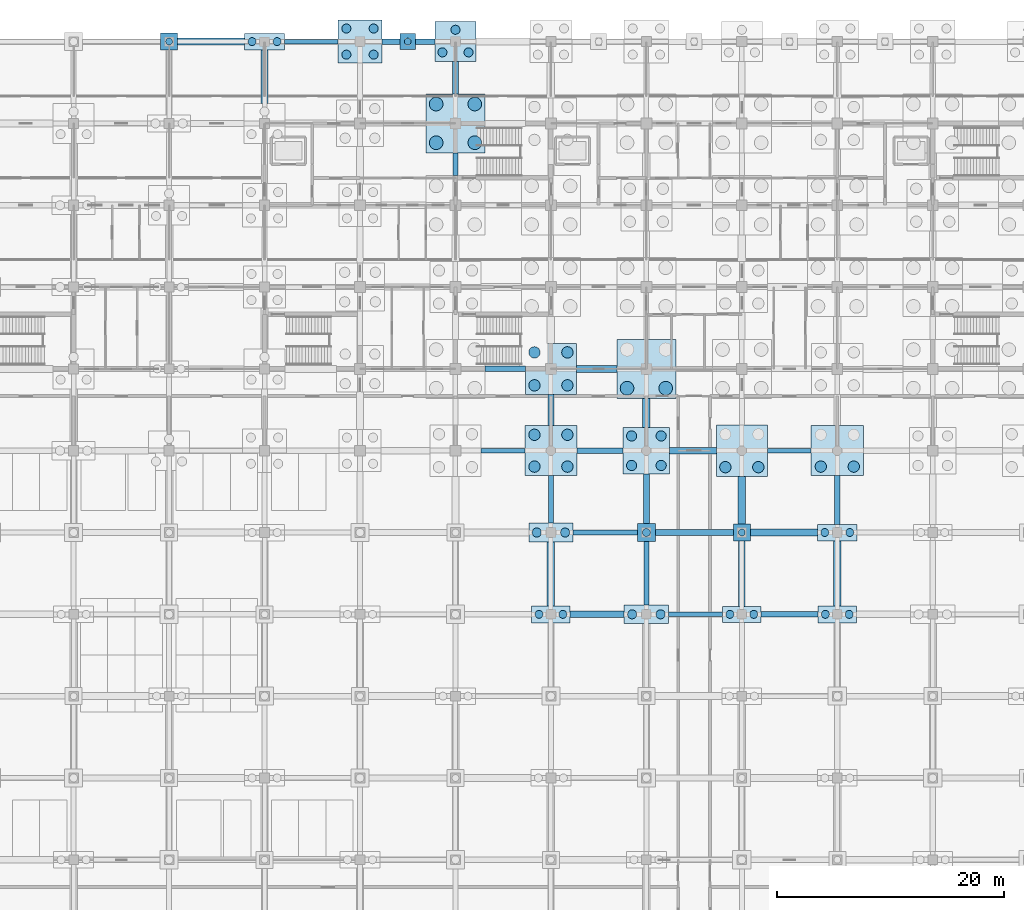
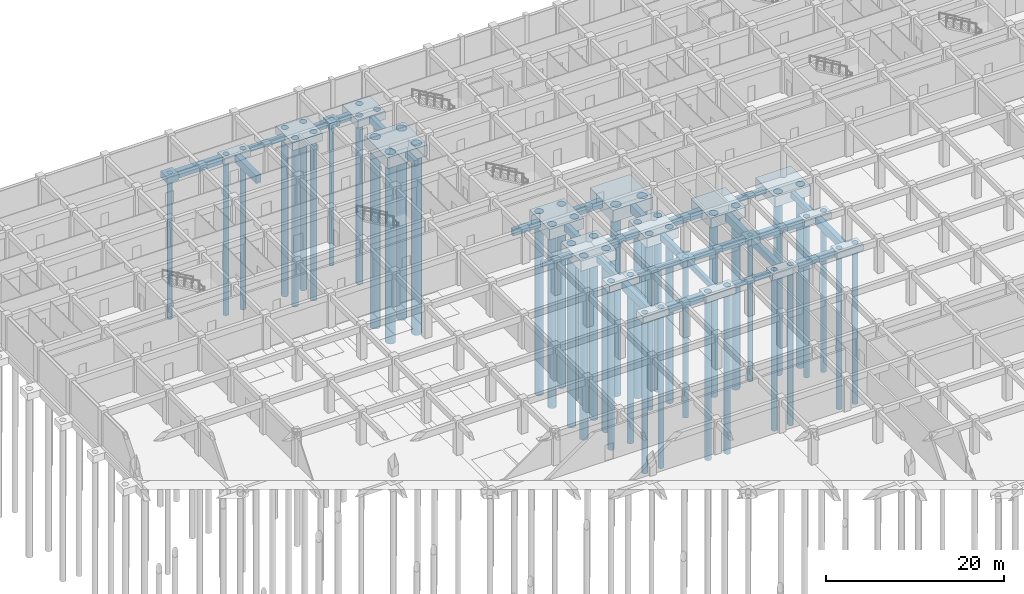
# One storey, part 9 of 85: 49 footings, 47 piles.
"""IFC4 building model written with IfcOpenShell, lengths in metres."""

import ifcopenshell
import ifcopenshell.guid

model = None  # the IFC model being written
_history = None  # IfcOwnerHistory: only IFC2X3 demands one
_inside = {}  # id of a spatial element -> (the spatial element, [elements in it])
_under = {}  # id of a project, library or spatial element -> (it, [spatial elements below it])
_declared = {}  # id of a project -> (the project, [libraries it declares])
_typed = {}  # id of a type object -> (the type object, [elements of that type])
_made_of = {}  # id of a material, layer set ... -> (it, [elements and type objects made of it])


def new_model(schema):
    """Start an empty IFC model of exactly this schema.

    Asked for "IFC4X3", IfcOpenShell would pick the latest addendum, in which some entities
    have other attributes; the version numbers below select the first issue.
    IFC2X3 requires an IfcOwnerHistory on every rooted entity: one is made here for all.
    """
    global model, _history
    if schema == "IFC4X3":
        model = ifcopenshell.file(schema_version=(4, 3, 0, 0))
    else:
        model = ifcopenshell.file(schema=schema)
    _inside.clear()
    _under.clear()
    _declared.clear()
    _typed.clear()
    _made_of.clear()
    _history = None
    if model.schema == "IFC2X3":
        org = make("IfcOrganization", Name="unknown")
        user = make(
            "IfcPersonAndOrganization",
            ThePerson=make("IfcPerson", FamilyName="unknown"),
            TheOrganization=org,
        )
        app = make(
            "IfcApplication",
            ApplicationDeveloper=org,
            Version="unknown",
            ApplicationFullName="unknown",
            ApplicationIdentifier="unknown",
        )
        _history = make(
            "IfcOwnerHistory",
            OwningUser=user,
            OwningApplication=app,
            ChangeAction="ADDED",
            CreationDate=0,
        )
    return model


def make(cls, **values):
    """One entity of the class cls with the attributes given. An attribute that is None is left unset."""
    return model.create_entity(
        cls, **{name: value for name, value in values.items() if value is not None}
    )


def rooted(cls, **values):
    """An entity with a GlobalId (a new one), such as an element, a storey or a relation."""
    return make(cls, GlobalId=ifcopenshell.guid.new(), OwnerHistory=_history, **values)


def si_unit(unit_type, name, prefix=None):
    """IfcSIUnit, for example si_unit("LENGTHUNIT", "METRE", prefix="MILLI")."""
    return make("IfcSIUnit", UnitType=unit_type, Prefix=prefix, Name=name)


def assignment(units):
    """IfcUnitAssignment: the units of a project."""
    return None if units is None else make("IfcUnitAssignment", Units=units)


def point(xyz):
    """IfcCartesianPoint."""
    return None if xyz is None else make("IfcCartesianPoint", Coordinates=xyz)


def direction(xyz):
    """IfcDirection."""
    return None if xyz is None else make("IfcDirection", DirectionRatios=xyz)


def frame(location, z_axis=None, x_axis=None):
    """IfcAxis2Placement3D, a coordinate frame: its origin and axes. An axis left out is left unset."""
    return make(
        "IfcAxis2Placement3D",
        Location=point(location),
        Axis=direction(z_axis),
        RefDirection=direction(x_axis),
    )


def frame_2d(location, x_axis=None):
    """IfcAxis2Placement2D, a coordinate frame in the plane: its origin and x axis."""
    return make(
        "IfcAxis2Placement2D", Location=point(location), RefDirection=direction(x_axis)
    )


def origin():
    """The frame at (0, 0, 0) with its axes left unset."""
    return frame((0.0, 0.0, 0.0))


def origin_2d():
    """The frame at (0, 0) in the plane with its x axis left unset."""
    return frame_2d((0.0, 0.0))


def place(relative_to, where):
    """IfcLocalPlacement: puts the frame where relative to a parent placement (None: the world)."""
    return make(
        "IfcLocalPlacement", PlacementRelTo=relative_to, RelativePlacement=where
    )


def context(
    kind, dimensions, precision=None, world=None, true_north=None, identifier=None
):
    """IfcGeometricRepresentationContext, for example the 3D "Model" context."""
    return make(
        "IfcGeometricRepresentationContext",
        ContextIdentifier=identifier,
        ContextType=kind,
        CoordinateSpaceDimension=dimensions,
        Precision=precision,
        WorldCoordinateSystem=world,
        TrueNorth=true_north,
    )


def subcontext(parent, identifier, kind, view, scale=None):
    """IfcGeometricRepresentationSubContext, for example "Body" below "Model"."""
    return make(
        "IfcGeometricRepresentationSubContext",
        ContextIdentifier=identifier,
        ContextType=kind,
        ParentContext=parent,
        TargetScale=scale,
        TargetView=view,
    )


def project(units=None, contexts=None):
    """IfcProject with its units and contexts."""
    return rooted(
        "IfcProject",
        Name="project",
        RepresentationContexts=contexts,
        UnitsInContext=assignment(units),
    )


def spatial(cls, under=None, at=None, **own):
    """A site, building, storey or space (cls), placed at a placement, below another one or the project."""
    s = rooted(cls, ObjectPlacement=at, **own)
    if under is not None:
        _under.setdefault(under.id(), (under, []))[1].append(s)
    return s


def profile(cls, at=None, kind="AREA", **sizes):
    """A parametric profile (cls). Its sizes go by their IFC names, for example OverallWidth=200.0."""
    return make(cls, ProfileType=kind, Position=at, **sizes)


def rectangle(**sizes):
    """IfcRectangleProfileDef."""
    return profile("IfcRectangleProfileDef", **sizes)


def circle(**sizes):
    """IfcCircleProfileDef."""
    return profile("IfcCircleProfileDef", **sizes)


def extrude(swept, where, along, depth):
    """IfcExtrudedAreaSolid: the profile swept, set in the frame where, extruded along a direction by depth."""
    return make(
        "IfcExtrudedAreaSolid",
        SweptArea=swept,
        Position=where,
        ExtrudedDirection=direction(along),
        Depth=depth,
    )


def shape(context_of_items, identifier, shape_type, items):
    """IfcShapeRepresentation: the items that make up one representation, for example the "Body"."""
    return make(
        "IfcShapeRepresentation",
        ContextOfItems=context_of_items,
        RepresentationIdentifier=identifier,
        RepresentationType=shape_type,
        Items=items,
    )


def material(Name=None, Category=None):
    """IfcMaterial."""
    return make("IfcMaterial", Name=Name, Category=Category)


def material_profile(
    of_material, cross_section, Name=None, Category=None, Priority=None
):
    """IfcMaterialProfile: a cross section and its material."""
    return make(
        "IfcMaterialProfile",
        Name=Name,
        Material=of_material,
        Profile=cross_section,
        Priority=Priority,
        Category=Category,
    )


def profile_set(profiles, Name=None, composite=None):
    """IfcMaterialProfileSet."""
    return make(
        "IfcMaterialProfileSet",
        Name=Name,
        MaterialProfiles=profiles,
        CompositeProfile=composite,
    )


def made_of(thing, what):
    """Note that an element or type object is made of a material, layer set ...; save() writes the relation."""
    if what is not None:
        _made_of.setdefault(what.id(), (what, []))[1].append(thing)
    return thing


def type_object(cls, material=None, **own):
    """A type object (cls), such as IfcWallType, which elements share."""
    return made_of(rooted(cls, **own), material)


def element(
    cls,
    number,
    at=None,
    inside=None,
    cuts=None,
    type_object=None,
    material=None,
    context=None,
    identifier="Body",
    shape_type=None,
    held_by="IfcProductDefinitionShape",
    body=None,
    shapes=None,
    **own,
):
    """One element of the class cls, such as IfcWall. Its Tag is "e" and its number.

    at: its placement. inside: the storey or other place that contains it. cuts: it is an
    opening in that element (IfcRelVoidsElement). A single representation is given by context,
    identifier, shape_type and body (its items); several are given by shapes. held_by: the class
    of the entity that holds the representations. save() writes the other relations.
    """
    e = rooted(cls, Tag="e%d" % number, ObjectPlacement=at, **own)
    if body is not None:
        shapes = [shape(context, identifier, shape_type, body)]
    if shapes is not None:
        e.Representation = make(held_by, Representations=shapes)
    if inside is not None:
        _inside.setdefault(inside.id(), (inside, []))[1].append(e)
    if cuts is not None:
        rooted(
            "IfcRelVoidsElement", RelatingBuildingElement=cuts, RelatedOpeningElement=e
        )
    if type_object is not None:
        _typed.setdefault(type_object.id(), (type_object, []))[1].append(e)
    return made_of(e, material)


def aggregate(whole, parts):
    """IfcRelAggregates: a whole, such as a stair, and the parts it consists of."""
    return rooted("IfcRelAggregates", RelatingObject=whole, RelatedObjects=parts)


def save(model, path):
    """Write the relations noted so far, then the file.

    IfcRelAggregates (storeys below a building ...), IfcRelContainedInSpatialStructure (elements
    in a storey), IfcRelDefinesByType, IfcRelAssociatesMaterial and IfcRelDeclares: one each for
    every whole, place, type object, material and project.
    """
    for whole, parts in _under.values():
        aggregate(whole, parts)
    for where, things in _inside.values():
        rooted(
            "IfcRelContainedInSpatialStructure",
            RelatedElements=things,
            RelatingStructure=where,
        )
    for kind, things in _typed.values():
        rooted("IfcRelDefinesByType", RelatedObjects=things, RelatingType=kind)
    for what, things in _made_of.values():
        rooted("IfcRelAssociatesMaterial", RelatedObjects=things, RelatingMaterial=what)
    for by, libraries in _declared.values():
        rooted("IfcRelDeclares", RelatingContext=by, RelatedDefinitions=libraries)
    model.write(path)


model = new_model("IFC4")

# Units and contexts
model_context = context("Model", 3, precision=1e-05, world=origin(), true_north=direction((0.0, 1.0)))
body_context = subcontext(model_context, "Body", "Model", "MODEL_VIEW")
ifc_project = project(units=[si_unit("LENGTHUNIT", "METRE"), si_unit("AREAUNIT", "SQUARE_METRE"), si_unit("VOLUMEUNIT", "CUBIC_METRE"), si_unit("PLANEANGLEUNIT", "RADIAN"), si_unit("MASSUNIT", "GRAM", prefix="KILO")], contexts=[model_context])

# Site, building, storey
site_placement = place(None, origin())
site = spatial("IfcSite", under=ifc_project, at=site_placement, CompositionType="ELEMENT")
building_placement = place(site_placement, origin())
building = spatial("IfcBuilding", under=site, at=building_placement, Name="Chengyuan Square Courthouse", CompositionType="ELEMENT")
storey_placement = place(building_placement, frame((0.0, 0.0, -10.199951171875)))
storey = spatial("IfcBuildingStorey", under=building, at=storey_placement, Name="B02", CompositionType="ELEMENT", Elevation=-10.199951171875)

# Footings
ifc_material = material(Name="Concrete C40", Category="concrete")
ifc_material_profile_1 = material_profile(ifc_material, rectangle(XDim=0.39990234375, YDim=0.699951171875, at=origin_2d()), Name="GB-400x700")
ifc_profile_set_1 = profile_set([ifc_material_profile_1], Name="Concrete C40")
footing_type_1 = type_object("IfcFootingType", Name="GB-01", PredefinedType="FOOTING_BEAM", material=ifc_profile_set_1)
footing_1_placement = place(storey_placement, frame((77.550048828125, 64.800048828125, -1.150146484375), z_axis=(1.0, 0.0, 0.0), x_axis=(0.0, 1.0, 0.0)))
element("IfcFooting", 1, at=footing_1_placement, inside=storey, type_object=footing_type_1, Name="Ground Tie Beam GB-B02-0190", PredefinedType="FOOTING_BEAM", context=body_context, shape_type="SweptSolid", body=[
    extrude(rectangle(XDim=0.39990234375, YDim=0.699951171875, at=origin_2d()), origin(), (0.0, 0.0, 1.0), 4.75),
])
footing_2_placement = place(storey_placement, frame((69.14990234375, 72.0, -1.150146484375), z_axis=(1.0, 0.0, 0.0), x_axis=(0.0, 1.0, 0.0)))
element("IfcFooting", 2, at=footing_2_placement, inside=storey, type_object=footing_type_1, Name="Ground Tie Beam GB-B02-0209", PredefinedType="FOOTING_BEAM", context=body_context, shape_type="SweptSolid", body=[
    extrude(rectangle(XDim=0.39990234375, YDim=0.699951171875, at=origin_2d()), origin(), (0.0, 0.0, 1.0), 5.650146484375),
])
footing_3_placement = place(storey_placement, frame((61.050048828125, 79.199951171875, -1.150146484375), z_axis=(1.0, 0.0, 0.0), x_axis=(0.0, 1.0, 0.0)))
element("IfcFooting", 3, at=footing_3_placement, inside=storey, type_object=footing_type_1, Name="Ground Tie Beam GB-B02-0228", PredefinedType="FOOTING_BEAM", context=body_context, shape_type="SweptSolid", body=[
    extrude(rectangle(XDim=0.39990234375, YDim=0.699951171875, at=origin_2d()), origin(), (0.0, 0.0, 1.0), 3.849853515625),
])
footing_4_placement = place(storey_placement, frame((86.25, 79.199951171875, -1.150146484375), z_axis=(1.0, 0.0, 0.0), x_axis=(0.0, 1.0, 0.0)))
element("IfcFooting", 4, at=footing_4_placement, inside=storey, type_object=footing_type_1, Name="Ground Tie Beam GB-B02-0231", PredefinedType="FOOTING_BEAM", context=body_context, shape_type="SweptSolid", body=[
    extrude(rectangle(XDim=0.39990234375, YDim=0.699951171875, at=origin_2d()), origin(), (0.0, 0.0, 1.0), 3.85009765625),
])
footing_5_placement = place(storey_placement, frame((43.75, 115.199951171875, -1.150146484375), z_axis=(1.0, 0.0, 0.0), x_axis=(0.0, 1.0, 0.0)))
element("IfcFooting", 5, at=footing_5_placement, inside=storey, type_object=footing_type_1, Name="Ground Tie Beam GB-B02-0326", PredefinedType="FOOTING_BEAM", context=body_context, shape_type="SweptSolid", body=[
    extrude(rectangle(XDim=0.39990234375, YDim=0.699951171875, at=origin_2d()), origin(), (0.0, 0.0, 1.0), 4.699951171875),
])
ifc_material_profile_2 = material_profile(ifc_material, rectangle(XDim=0.449951171875, YDim=0.800048828125, at=origin_2d()), Name="GB-450x800")
ifc_profile_set_2 = profile_set([ifc_material_profile_2], Name="Concrete C40")
footing_type_2 = type_object("IfcFootingType", Name="GB-02", PredefinedType="FOOTING_BEAM", material=ifc_profile_set_2)
footing_6_placement = place(storey_placement, frame((58.800048828125, 103.39990234375, -1.199951171875), z_axis=(0.0, 1.0, 0.0), x_axis=(-1.0, 0.0, 0.0)))
element("IfcFooting", 6, at=footing_6_placement, inside=storey, type_object=footing_type_2, Name="Ground Tie Beam GB-B02-0473", PredefinedType="FOOTING_BEAM", context=body_context, shape_type="SweptSolid", body=[
    extrude(rectangle(XDim=0.449951171875, YDim=0.800048828125, at=origin_2d()), origin(), (0.0, 0.0, 1.0), 2.0),
])
footing_7_placement = place(storey_placement, frame((67.199951171875, 72.824951171875, -1.199951171875), z_axis=(0.0, 1.0, 0.0), x_axis=(-1.0, 0.0, 0.0)))
element("IfcFooting", 7, at=footing_7_placement, inside=storey, type_object=footing_type_2, Name="Ground Tie Beam GB-B02-0485", PredefinedType="FOOTING_BEAM", context=body_context, shape_type="SweptSolid", body=[
    extrude(rectangle(XDim=0.449951171875, YDim=0.800048828125, at=origin_2d()), origin(), (0.0, 0.0, 1.0), 4.175048828125),
])
footing_8_placement = place(storey_placement, frame((75.60009765625, 65.625, -1.199951171875), z_axis=(0.0, 1.0, 0.0), x_axis=(-1.0, 0.0, 0.0)))
element("IfcFooting", 8, at=footing_8_placement, inside=storey, type_object=footing_type_2, Name="Ground Tie Beam GB-B02-0500", PredefinedType="FOOTING_BEAM", context=body_context, shape_type="SweptSolid", body=[
    extrude(rectangle(XDim=0.449951171875, YDim=0.800048828125, at=origin_2d()), origin(), (0.0, 0.0, 1.0), 5.574951171875),
])
footing_9_placement = place(storey_placement, frame((92.39990234375, 72.72509765625, -1.199951171875), z_axis=(0.0, 1.0, 0.0), x_axis=(-1.0, 0.0, 0.0)))
element("IfcFooting", 9, at=footing_9_placement, inside=storey, type_object=footing_type_2, Name="Ground Tie Beam GB-B02-0533", PredefinedType="FOOTING_BEAM", context=body_context, shape_type="SweptSolid", body=[
    extrude(rectangle(XDim=0.449951171875, YDim=0.800048828125, at=origin_2d()), origin(), (0.0, 0.0, 1.0), 4.27490234375),
])
ifc_material_profile_3 = material_profile(ifc_material, rectangle(XDim=0.5, YDim=0.89990234375, at=origin_2d()), Name="GB-500x900")
ifc_profile_set_3 = profile_set([ifc_material_profile_3], Name="Concrete C40")
footing_type_3 = type_object("IfcFootingType", Name="GB-03", PredefinedType="FOOTING_BEAM", material=ifc_profile_set_3)
footing_10_placement = place(storey_placement, frame((85.699951171875, 64.800048828125, -1.25), z_axis=(1.0, 0.0, 0.0), x_axis=(0.0, 1.0, 0.0)))
element("IfcFooting", 10, at=footing_10_placement, inside=storey, type_object=footing_type_3, Name="Ground Tie Beam GB-B02-0191", PredefinedType="FOOTING_BEAM", context=body_context, shape_type="SweptSolid", body=[
    extrude(rectangle(XDim=0.5, YDim=0.89990234375, at=origin_2d()), origin(), (0.0, 0.0, 1.0), 5.0),
])
footing_11_placement = place(storey_placement, frame((76.39990234375, 72.0, -1.25), z_axis=(1.0, 0.0, 0.0), x_axis=(0.0, 1.0, 0.0)))
element("IfcFooting", 11, at=footing_11_placement, inside=storey, type_object=footing_type_3, Name="Ground Tie Beam GB-B02-0210", PredefinedType="FOOTING_BEAM", context=body_context, shape_type="SweptSolid", body=[
    extrude(rectangle(XDim=0.5, YDim=0.89990234375, at=origin_2d()), origin(), (0.0, 0.0, 1.0), 6.85009765625),
])
footing_12_placement = place(storey_placement, frame((69.5, 79.199951171875, -1.25), z_axis=(1.0, 0.0, 0.0), x_axis=(0.0, 1.0, 0.0)))
element("IfcFooting", 12, at=footing_12_placement, inside=storey, type_object=footing_type_3, Name="Ground Tie Beam GB-B02-0229", PredefinedType="FOOTING_BEAM", context=body_context, shape_type="SweptSolid", body=[
    extrude(rectangle(XDim=0.5, YDim=0.89990234375, at=origin_2d()), origin(), (0.0, 0.0, 1.0), 4.050048828125),
])
footing_13_placement = place(storey_placement, frame((61.39990234375, 86.39990234375, -1.25), z_axis=(1.0, 0.0, 0.0), x_axis=(0.0, 1.0, 0.0)))
element("IfcFooting", 13, at=footing_13_placement, inside=storey, type_object=footing_type_3, Name="Ground Tie Beam GB-B02-0248", PredefinedType="FOOTING_BEAM", context=body_context, shape_type="SweptSolid", body=[
    extrude(rectangle(XDim=0.5, YDim=0.89990234375, at=origin_2d()), origin(), (0.0, 0.0, 1.0), 3.550048828125),
])
footing_14_placement = place(storey_placement, frame((52.35009765625, 115.199951171875, -1.25), z_axis=(1.0, 0.0, 0.0), x_axis=(0.0, 1.0, 0.0)))
element("IfcFooting", 14, at=footing_14_placement, inside=storey, type_object=footing_type_3, Name="Ground Tie Beam GB-B02-0327", PredefinedType="FOOTING_BEAM", context=body_context, shape_type="SweptSolid", body=[
    extrude(rectangle(XDim=0.5, YDim=0.89990234375, at=origin_2d()), origin(), (0.0, 0.0, 1.0), 1.5498046875),
])
footing_15_placement = place(storey_placement, frame((55.300048828125, 115.199951171875, -1.25), z_axis=(1.0, 0.0, 0.0), x_axis=(0.0, 1.0, 0.0)))
element("IfcFooting", 15, at=footing_15_placement, inside=storey, type_object=footing_type_3, Name="Ground Tie Beam GB-B02-0328", PredefinedType="FOOTING_BEAM", context=body_context, shape_type="SweptSolid", body=[
    extrude(rectangle(XDim=0.5, YDim=0.89990234375, at=origin_2d()), origin(), (0.0, 0.0, 1.0), 1.699951171875),
])
ifc_material_profile_4 = material_profile(ifc_material, rectangle(XDim=0.550048828125, YDim=0.949951171875, at=origin_2d()), Name="GB-550x950")
ifc_profile_set_4 = profile_set([ifc_material_profile_4], Name="Concrete C40")
footing_type_4 = type_object("IfcFootingType", Name="GB-04", PredefinedType="FOOTING_BEAM", material=ifc_profile_set_4)
footing_16_placement = place(storey_placement, frame((58.800048828125, 110.60009765625, -1.275146484375), z_axis=(0.0, 1.0, 0.0), x_axis=(-1.0, 0.0, 0.0)))
element("IfcFooting", 16, at=footing_16_placement, inside=storey, type_object=footing_type_4, Name="Ground Tie Beam GB-B02-0474", PredefinedType="FOOTING_BEAM", context=body_context, shape_type="SweptSolid", body=[
    extrude(rectangle(XDim=0.550048828125, YDim=0.949951171875, at=origin_2d()), origin(), (0.0, 0.0, 1.0), 2.849853515625),
])
footing_17_placement = place(storey_placement, frame((67.199951171875, 81.39990234375, -1.275146484375), z_axis=(0.0, 1.0, 0.0), x_axis=(-1.0, 0.0, 0.0)))
element("IfcFooting", 17, at=footing_17_placement, inside=storey, type_object=footing_type_4, Name="Ground Tie Beam GB-B02-0486", PredefinedType="FOOTING_BEAM", context=body_context, shape_type="SweptSolid", body=[
    extrude(rectangle(XDim=0.550048828125, YDim=0.949951171875, at=origin_2d()), origin(), (0.0, 0.0, 1.0), 2.75),
])
footing_18_placement = place(storey_placement, frame((75.60009765625, 72.800048828125, -1.275146484375), z_axis=(0.0, 1.0, 0.0), x_axis=(-1.0, 0.0, 0.0)))
element("IfcFooting", 18, at=footing_18_placement, inside=storey, type_object=footing_type_4, Name="Ground Tie Beam GB-B02-0501", PredefinedType="FOOTING_BEAM", context=body_context, shape_type="SweptSolid", body=[
    extrude(rectangle(XDim=0.550048828125, YDim=0.949951171875, at=origin_2d()), origin(), (0.0, 0.0, 1.0), 4.349853515625),
])
footing_19_placement = place(storey_placement, frame((84.0, 65.5, -1.275146484375), z_axis=(0.0, 1.0, 0.0), x_axis=(-1.0, 0.0, 0.0)))
element("IfcFooting", 19, at=footing_19_placement, inside=storey, type_object=footing_type_4, Name="Ground Tie Beam GB-B02-0516", PredefinedType="FOOTING_BEAM", context=body_context, shape_type="SweptSolid", body=[
    extrude(rectangle(XDim=0.550048828125, YDim=0.949951171875, at=origin_2d()), origin(), (0.0, 0.0, 1.0), 5.75),
])
ifc_material_profile_5 = material_profile(ifc_material, rectangle(XDim=0.60009765625, YDim=1.0, at=origin_2d()), Name="GB-600x1000")
ifc_profile_set_5 = profile_set([ifc_material_profile_5], Name="Concrete C40")
footing_type_5 = type_object("IfcFootingType", Name="GB-05", PredefinedType="FOOTING_BEAM", material=ifc_profile_set_5)
footing_20_placement = place(storey_placement, frame((68.89990234375, 64.800048828125, -1.300048828125), z_axis=(1.0, 0.0, 0.0), x_axis=(0.0, 1.0, 0.0)))
element("IfcFooting", 20, at=footing_20_placement, inside=storey, type_object=footing_type_5, Name="Ground Tie Beam GB-B02-0189", PredefinedType="FOOTING_BEAM", context=body_context, shape_type="SweptSolid", body=[
    extrude(rectangle(XDim=0.60009765625, YDim=1.0, at=origin_2d()), origin(), (0.0, 0.0, 1.0), 4.75),
])
footing_21_placement = place(storey_placement, frame((84.75, 72.0, -1.300048828125), z_axis=(1.0, 0.0, 0.0), x_axis=(0.0, 1.0, 0.0)))
element("IfcFooting", 21, at=footing_21_placement, inside=storey, type_object=footing_type_5, Name="Ground Tie Beam GB-B02-0211", PredefinedType="FOOTING_BEAM", context=body_context, shape_type="SweptSolid", body=[
    extrude(rectangle(XDim=0.60009765625, YDim=1.0, at=origin_2d()), origin(), (0.0, 0.0, 1.0), 5.89990234375),
])
footing_22_placement = place(storey_placement, frame((77.64990234375, 79.199951171875, -1.300048828125), z_axis=(1.0, 0.0, 0.0), x_axis=(0.0, 1.0, 0.0)))
element("IfcFooting", 22, at=footing_22_placement, inside=storey, type_object=footing_type_5, Name="Ground Tie Beam GB-B02-0230", PredefinedType="FOOTING_BEAM", context=body_context, shape_type="SweptSolid", body=[
    extrude(rectangle(XDim=0.60009765625, YDim=1.0, at=origin_2d()), origin(), (0.0, 0.0, 1.0), 4.10009765625),
])
footing_23_placement = place(storey_placement, frame((69.449951171875, 86.39990234375, -1.300048828125), z_axis=(1.0, 0.0, 0.0), x_axis=(0.0, 1.0, 0.0)))
element("IfcFooting", 23, at=footing_23_placement, inside=storey, type_object=footing_type_5, Name="Ground Tie Beam GB-B02-0249", PredefinedType="FOOTING_BEAM", context=body_context, shape_type="SweptSolid", body=[
    extrude(rectangle(XDim=0.60009765625, YDim=1.0, at=origin_2d()), origin(), (0.0, 0.0, 1.0), 3.550048828125),
])
footing_24_placement = place(storey_placement, frame((34.35009765625, 115.199951171875, -1.300048828125), z_axis=(1.0, 0.0, 0.0), x_axis=(0.0, 1.0, 0.0)))
element("IfcFooting", 24, at=footing_24_placement, inside=storey, type_object=footing_type_5, Name="Ground Tie Beam GB-B02-0325", PredefinedType="FOOTING_BEAM", context=body_context, shape_type="SweptSolid", body=[
    extrude(rectangle(XDim=0.60009765625, YDim=1.0, at=origin_2d()), origin(), (0.0, 0.0, 1.0), 5.89990234375),
])
ifc_material_profile_6 = material_profile(ifc_material, rectangle(XDim=0.64990234375, YDim=1.10009765625, at=origin_2d()), Name="GB-650x1100")
ifc_profile_set_6 = profile_set([ifc_material_profile_6], Name="Concrete C40")
footing_type_6 = type_object("IfcFootingType", Name="GB-06", PredefinedType="FOOTING_BEAM", material=ifc_profile_set_6)
footing_25_placement = place(storey_placement, frame((42.0, 109.75, -1.35009765625), z_axis=(0.0, 1.0, 0.0), x_axis=(-1.0, 0.0, 0.0)))
element("IfcFooting", 25, at=footing_25_placement, inside=storey, type_object=footing_type_6, Name="Ground Tie Beam GB-B02-0442", PredefinedType="FOOTING_BEAM", context=body_context, shape_type="SweptSolid", body=[
    extrude(rectangle(XDim=0.64990234375, YDim=1.10009765625, at=origin_2d()), origin(), (0.0, 0.0, 1.0), 4.72509765625),
])
footing_26_placement = place(storey_placement, frame((67.199951171875, 65.550048828125, -1.35009765625), z_axis=(0.0, 1.0, 0.0), x_axis=(-1.0, 0.0, 0.0)))
element("IfcFooting", 26, at=footing_26_placement, inside=storey, type_object=footing_type_6, Name="Ground Tie Beam GB-B02-0484", PredefinedType="FOOTING_BEAM", context=body_context, shape_type="SweptSolid", body=[
    extrude(rectangle(XDim=0.64990234375, YDim=1.10009765625, at=origin_2d()), origin(), (0.0, 0.0, 1.0), 5.625),
])
footing_27_placement = place(storey_placement, frame((75.60009765625, 81.25, -1.35009765625), z_axis=(0.0, 1.0, 0.0), x_axis=(-1.0, 0.0, 0.0)))
element("IfcFooting", 27, at=footing_27_placement, inside=storey, type_object=footing_type_6, Name="Ground Tie Beam GB-B02-0502", PredefinedType="FOOTING_BEAM", context=body_context, shape_type="SweptSolid", body=[
    extrude(rectangle(XDim=0.64990234375, YDim=1.10009765625, at=origin_2d()), origin(), (0.0, 0.0, 1.0), 2.550048828125),
])
footing_28_placement = place(storey_placement, frame((84.0, 72.75, -1.35009765625), z_axis=(0.0, 1.0, 0.0), x_axis=(-1.0, 0.0, 0.0)))
element("IfcFooting", 28, at=footing_28_placement, inside=storey, type_object=footing_type_6, Name="Ground Tie Beam GB-B02-0517", PredefinedType="FOOTING_BEAM", context=body_context, shape_type="SweptSolid", body=[
    extrude(rectangle(XDim=0.64990234375, YDim=1.10009765625, at=origin_2d()), origin(), (0.0, 0.0, 1.0), 4.199951171875),
])
footing_29_placement = place(storey_placement, frame((92.39990234375, 65.550048828125, -1.35009765625), z_axis=(0.0, 1.0, 0.0), x_axis=(-1.0, 0.0, 0.0)))
element("IfcFooting", 29, at=footing_29_placement, inside=storey, type_object=footing_type_6, Name="Ground Tie Beam GB-B02-0532", PredefinedType="FOOTING_BEAM", context=body_context, shape_type="SweptSolid", body=[
    extrude(rectangle(XDim=0.64990234375, YDim=1.10009765625, at=origin_2d()), origin(), (0.0, 0.0, 1.0), 5.724853515625),
])
footing_type_7 = type_object("IfcFootingType", Name="PC-01", PredefinedType="PILE_CAP", material=ifc_material)
footing_30_placement = place(storey_placement, frame((75.60009765625, 86.39990234375, -2.449951171875), z_axis=(0.0, 0.0, 1.0), x_axis=(1.0, 0.0, 0.0)))
element("IfcFooting", 30, at=footing_30_placement, inside=storey, type_object=footing_type_7, Name="Pile Cap PC-B02-166", PredefinedType="PILE_CAP", context=body_context, shape_type="SweptSolid", body=[
    extrude(rectangle(XDim=5.199951171875, YDim=5.199951171875, at=origin_2d()), origin(), (0.0, 0.0, 1.0), 1.64990234375),
])
footing_type_8 = type_object("IfcFootingType", Name="PC-02", PredefinedType="PILE_CAP", material=ifc_material)
footing_31_placement = place(storey_placement, frame((58.800048828125, 108.0, -2.300048828125), z_axis=(0.0, 0.0, 1.0), x_axis=(1.0, 0.0, 0.0)))
element("IfcFooting", 31, at=footing_31_placement, inside=storey, type_object=footing_type_8, Name="Pile Cap PC-B02-135", PredefinedType="PILE_CAP", context=body_context, shape_type="SweptSolid", body=[
    extrude(rectangle(XDim=5.199951171875, YDim=5.199951171875, at=origin_2d()), origin(), (0.0, 0.0, 1.0), 1.5),
])
footing_type_9 = type_object("IfcFootingType", Name="PC-03", PredefinedType="PILE_CAP", material=ifc_material)
footing_32_placement = place(storey_placement, frame((67.199951171875, 86.39990234375, -2.25), z_axis=(0.0, 0.0, 1.0), x_axis=(1.0, 0.0, 0.0)))
element("IfcFooting", 32, at=footing_32_placement, inside=storey, type_object=footing_type_9, Name="Pile Cap PC-B02-149", PredefinedType="PILE_CAP", context=body_context, shape_type="SweptSolid", body=[
    extrude(rectangle(XDim=4.5, YDim=4.5, at=origin_2d()), origin(), (0.0, 0.0, 1.0), 1.449951171875),
])
footing_type_10 = type_object("IfcFootingType", Name="PC-04", PredefinedType="PILE_CAP", material=ifc_material)
footing_33_placement = place(storey_placement, frame((84.0, 79.199951171875, -2.150146484375), z_axis=(0.0, 0.0, 1.0), x_axis=(1.0, 0.0, 0.0)))
element("IfcFooting", 33, at=footing_33_placement, inside=storey, type_object=footing_type_10, Name="Pile Cap PC-B02-182", PredefinedType="PILE_CAP", context=body_context, shape_type="SweptSolid", body=[
    extrude(rectangle(XDim=4.5, YDim=4.5, at=origin_2d()), origin(), (0.0, 0.0, 1.0), 1.35009765625),
])
footing_type_11 = type_object("IfcFootingType", Name="PC-05", PredefinedType="PILE_CAP", material=ifc_material)
for number, where, z_axis, x_axis, name in (
    (34, (67.199951171875, 79.199951171875, -2.199951171875), (0.0, 0.0, 1.0), (1.0, 0.0, 0.0), "Pile Cap PC-B02-148"),
    (35, (92.39990234375, 79.199951171875, -2.199951171875), (0.0, 0.0, 1.0), (1.0, 0.0, 0.0), "Pile Cap PC-B02-199"),
):
    element("IfcFooting", number, at=place(storey_placement, frame(where, z_axis=z_axis, x_axis=x_axis)), inside=storey, type_object=footing_type_11, Name=name, PredefinedType="PILE_CAP", context=body_context, shape_type="SweptSolid", body=[
        extrude(rectangle(XDim=4.60009765625, YDim=4.39990234375, at=origin_2d()), origin(), (0.0, 0.0, 1.0), 1.39990234375),
    ])
footing_type_12 = type_object("IfcFootingType", Name="PC-06", PredefinedType="PILE_CAP", material=ifc_material)
footing_34_placement = place(storey_placement, frame((75.60009765625, 79.199951171875, -2.10009765625), z_axis=(0.0, 0.0, 1.0), x_axis=(1.0, 0.0, 0.0)))
element("IfcFooting", 36, at=footing_34_placement, inside=storey, type_object=footing_type_12, Name="Pile Cap PC-B02-165", PredefinedType="PILE_CAP", context=body_context, shape_type="SweptSolid", body=[
    extrude(rectangle(XDim=4.10009765625, YDim=4.10009765625, at=origin_2d()), origin(), (0.0, 0.0, 1.0), 1.300048828125),
])
footing_type_13 = type_object("IfcFootingType", Name="PC-11", PredefinedType="PILE_CAP", material=ifc_material)
footing_35_placement = place(storey_placement, frame((50.39990234375, 115.199951171875, -1.900146484375), z_axis=(0.0, 0.0, 1.0), x_axis=(1.0, 0.0, 0.0)))
element("IfcFooting", 37, at=footing_35_placement, inside=storey, type_object=footing_type_13, Name="Pile Cap PC-B02-119", PredefinedType="PILE_CAP", context=body_context, shape_type="SweptSolid", body=[
    extrude(rectangle(XDim=3.89990234375, YDim=3.800048828125, at=origin_2d()), origin(), (0.0, 0.0, 1.0), 1.10009765625),
])
footing_type_14 = type_object("IfcFootingType", Name="PC-12", PredefinedType="PILE_CAP", material=ifc_material)
footing_36_placement = place(storey_placement, frame((58.800048828125, 115.199951171875, -1.900146484375), z_axis=(0.0, 0.0, 1.0), x_axis=(1.0, 0.0, 0.0)))
element("IfcFooting", 38, at=footing_36_placement, inside=storey, type_object=footing_type_14, Name="Pile Cap PC-B02-136", PredefinedType="PILE_CAP", context=body_context, shape_type="SweptSolid", body=[
    extrude(rectangle(XDim=3.60009765625, YDim=3.5, at=origin_2d()), origin(), (0.0, 0.0, 1.0), 1.10009765625),
])
footing_type_15 = type_object("IfcFootingType", Name="PC-16", PredefinedType="PILE_CAP", material=ifc_material)
for number, where, z_axis, x_axis, name in (
    (39, (67.199951171875, 72.0, -1.75), (0.0, 0.0, 1.0), (1.0, 0.0, 0.0), "Pile Cap PC-B02-147"),
    (40, (75.60009765625, 64.800048828125, -1.75), (0.0, 0.0, 1.0), (1.0, 0.0, 0.0), "Pile Cap PC-B02-163"),
):
    element("IfcFooting", number, at=place(storey_placement, frame(where, z_axis=z_axis, x_axis=x_axis)), inside=storey, type_object=footing_type_15, Name=name, PredefinedType="PILE_CAP", context=body_context, shape_type="SweptSolid", body=[
        extrude(rectangle(XDim=3.89990234375, YDim=1.64990234375, at=origin_2d()), origin(), (0.0, 0.0, 1.0), 0.949951171875),
    ])
footing_type_16 = type_object("IfcFootingType", Name="PC-17", PredefinedType="PILE_CAP", material=ifc_material)
footing_37_placement = place(storey_placement, frame((84.0, 64.800048828125, -1.75), z_axis=(0.0, 0.0, 1.0), x_axis=(1.0, 0.0, 0.0)))
element("IfcFooting", 41, at=footing_37_placement, inside=storey, type_object=footing_type_16, Name="Pile Cap PC-B02-180", PredefinedType="PILE_CAP", context=body_context, shape_type="SweptSolid", body=[
    extrude(rectangle(XDim=3.39990234375, YDim=1.39990234375, at=origin_2d()), origin(), (0.0, 0.0, 1.0), 0.949951171875),
])
footing_type_17 = type_object("IfcFootingType", Name="PC-18", PredefinedType="PILE_CAP", material=ifc_material)
for number, where, z_axis, x_axis, name in (
    (42, (67.199951171875, 64.800048828125, -1.699951171875), (0.0, 0.0, 1.0), (1.0, 0.0, 0.0), "Pile Cap PC-B02-146"),
    (43, (92.39990234375, 64.800048828125, -1.699951171875), (0.0, 0.0, 1.0), (1.0, 0.0, 0.0), "Pile Cap PC-B02-197"),
):
    element("IfcFooting", number, at=place(storey_placement, frame(where, z_axis=z_axis, x_axis=x_axis)), inside=storey, type_object=footing_type_17, Name=name, PredefinedType="PILE_CAP", context=body_context, shape_type="SweptSolid", body=[
        extrude(rectangle(XDim=3.39990234375, YDim=1.5, at=origin_2d()), origin(), (0.0, 0.0, 1.0), 0.89990234375),
    ])
footing_type_18 = type_object("IfcFootingType", Name="PC-19", PredefinedType="PILE_CAP", material=ifc_material)
for number, where, z_axis, x_axis, name in (
    (44, (42.0, 115.199951171875, -1.650146484375), (0.0, 0.0, 1.0), (1.0, 0.0, 0.0), "Pile Cap PC-B02-102"),
    (45, (92.39990234375, 72.0, -1.650146484375), (0.0, 0.0, 1.0), (1.0, 0.0, 0.0), "Pile Cap PC-B02-198"),
):
    element("IfcFooting", number, at=place(storey_placement, frame(where, z_axis=z_axis, x_axis=x_axis)), inside=storey, type_object=footing_type_18, Name=name, PredefinedType="PILE_CAP", context=body_context, shape_type="SweptSolid", body=[
        extrude(rectangle(XDim=3.5, YDim=1.449951171875, at=origin_2d()), origin(), (0.0, 0.0, 1.0), 0.85009765625),
    ])
footing_type_19 = type_object("IfcFootingType", Name="PC-20", PredefinedType="PILE_CAP", material=ifc_material)
footing_38_placement = place(storey_placement, frame((75.60009765625, 72.0, -1.699951171875), z_axis=(0.0, 0.0, 1.0), x_axis=(1.0, 0.0, 0.0)))
element("IfcFooting", 46, at=footing_38_placement, inside=storey, type_object=footing_type_19, Name="Pile Cap PC-B02-164", PredefinedType="PILE_CAP", context=body_context, shape_type="SweptSolid", body=[
    extrude(rectangle(XDim=1.60009765625, YDim=1.60009765625, at=origin_2d()), origin(), (0.0, 0.0, 1.0), 0.89990234375),
])
footing_type_20 = type_object("IfcFootingType", Name="PC-21", PredefinedType="PILE_CAP", material=ifc_material)
for number, where, z_axis, x_axis, name in (
    (47, (33.60009765625, 115.199951171875, -1.650146484375), (0.0, 0.0, 1.0), (1.0, 0.0, 0.0), "Pile Cap PC-B02-085"),
    (48, (84.0, 72.0, -1.650146484375), (0.0, 0.0, 1.0), (1.0, 0.0, 0.0), "Pile Cap PC-B02-181"),
):
    element("IfcFooting", number, at=place(storey_placement, frame(where, z_axis=z_axis, x_axis=x_axis)), inside=storey, type_object=footing_type_20, Name=name, PredefinedType="PILE_CAP", context=body_context, shape_type="SweptSolid", body=[
        extrude(rectangle(XDim=1.5, YDim=1.5, at=origin_2d()), origin(), (0.0, 0.0, 1.0), 0.85009765625),
    ])
footing_type_21 = type_object("IfcFootingType", Name="PC-22", PredefinedType="PILE_CAP", material=ifc_material)
footing_39_placement = place(storey_placement, frame((54.60009765625, 115.199951171875, -1.60009765625), z_axis=(0.0, 0.0, 1.0), x_axis=(1.0, 0.0, 0.0)))
element("IfcFooting", 49, at=footing_39_placement, inside=storey, type_object=footing_type_21, Name="Pilaster Pile Cap PC-B02-358", PredefinedType="PILE_CAP", context=body_context, shape_type="SweptSolid", body=[
    extrude(rectangle(XDim=1.39990234375, YDim=1.39990234375, at=origin_2d()), origin(), (0.0, 0.0, 1.0), 0.800048828125),
])

# Piles
ifc_material_profile_7 = material_profile(ifc_material, circle(Radius=0.300048828125, at=origin_2d()), Name="BORED PILE D600")
ifc_profile_set_7 = profile_set([ifc_material_profile_7], Name="Concrete C40")
pile_type_1 = type_object("IfcPileType", Name="PL-01", PredefinedType="BORED", material=ifc_profile_set_7)
for number, where, z_axis, x_axis, name in (
    (50, (33.60009765625, 115.199951171875, -0.800048828125), (0.0, 0.0, -1.0), (1.0, 0.0, 0.0), "Bored Pile PL-B02-0141"),
    (51, (84.0, 72.0, -0.800048828125), (0.0, 0.0, -1.0), (1.0, 0.0, 0.0), "Bored Pile PL-B02-0346"),
    (52, (54.60009765625, 115.199951171875, -0.800048828125), (0.0, 0.0, -1.0), (1.0, 0.0, 0.0), "Bored Pile PL-B02-0701"),
):
    element("IfcPile", number, at=place(storey_placement, frame(where, z_axis=z_axis, x_axis=x_axis)), inside=storey, type_object=pile_type_1, Name=name, PredefinedType="BORED", context=body_context, shape_type="SweptSolid", body=[
        extrude(circle(Radius=0.300048828125, at=origin_2d()), origin(), (0.0, 0.0, 1.0), 20.0),
    ])
ifc_material_profile_8 = material_profile(ifc_material, circle(Radius=0.35009765625, at=origin_2d()), Name="BORED PILE D700")
ifc_profile_set_8 = profile_set([ifc_material_profile_8], Name="Concrete C40")
pile_type_2 = type_object("IfcPileType", Name="PL-02", PredefinedType="BORED", material=ifc_profile_set_8)
for number, where, z_axis, x_axis, name in (
    (53, (40.89990234375, 115.199951171875, -0.800048828125), (0.0, 0.0, -1.0), (1.0, 0.0, 0.0), "Bored Pile PL-B02-0175"),
    (54, (43.10009765625, 115.199951171875, -0.800048828125), (0.0, 0.0, -1.0), (1.0, 0.0, 0.0), "Bored Pile PL-B02-0176"),
    (55, (66.14990234375, 64.800048828125, -0.800048828125), (0.0, 0.0, -1.0), (1.0, 0.0, 0.0), "Bored Pile PL-B02-0265"),
    (56, (68.25, 64.800048828125, -0.800048828125), (0.0, 0.0, -1.0), (1.0, 0.0, 0.0), "Bored Pile PL-B02-0266"),
    (57, (75.60009765625, 72.0, -0.800048828125), (0.0, 0.0, -1.0), (1.0, 0.0, 0.0), "Bored Pile PL-B02-0307"),
    (58, (82.949951171875, 64.800048828125, -0.800048828125), (0.0, 0.0, -1.0), (1.0, 0.0, 0.0), "Bored Pile PL-B02-0344"),
    (59, (85.050048828125, 64.800048828125, -0.800048828125), (0.0, 0.0, -1.0), (1.0, 0.0, 0.0), "Bored Pile PL-B02-0345"),
    (60, (91.35009765625, 64.800048828125, -0.800048828125), (0.0, 0.0, -1.0), (1.0, 0.0, 0.0), "Bored Pile PL-B02-0382"),
    (61, (93.449951171875, 64.800048828125, -0.800048828125), (0.0, 0.0, -1.0), (1.0, 0.0, 0.0), "Bored Pile PL-B02-0383"),
    (62, (91.300048828125, 72.0, -0.800048828125), (0.0, 0.0, -1.0), (1.0, 0.0, 0.0), "Bored Pile PL-B02-0384"),
    (63, (93.5, 72.0, -0.800048828125), (0.0, 0.0, -1.0), (1.0, 0.0, 0.0), "Bored Pile PL-B02-0385"),
):
    element("IfcPile", number, at=place(storey_placement, frame(where, z_axis=z_axis, x_axis=x_axis)), inside=storey, type_object=pile_type_2, Name=name, PredefinedType="BORED", context=body_context, shape_type="SweptSolid", body=[
        extrude(circle(Radius=0.35009765625, at=origin_2d()), origin(), (0.0, 0.0, 1.0), 22.0),
    ])
ifc_material_profile_9 = material_profile(ifc_material, circle(Radius=0.39990234375, at=origin_2d()), Name="BORED PILE D800")
ifc_profile_set_9 = profile_set([ifc_material_profile_9], Name="Concrete C40")
pile_type_3 = type_object("IfcPileType", Name="PL-03", PredefinedType="BORED", material=ifc_profile_set_9)
for number, where, z_axis, x_axis, name in (
    (64, (49.199951171875, 114.050048828125, -0.800048828125), (0.0, 0.0, -1.0), (1.0, 0.0, 0.0), "Bored Pile PL-B02-0212"),
    (65, (51.60009765625, 114.050048828125, -0.800048828125), (0.0, 0.0, -1.0), (1.0, 0.0, 0.0), "Bored Pile PL-B02-0213"),
    (66, (49.199951171875, 116.35009765625, -0.800048828125), (0.0, 0.0, -1.0), (1.0, 0.0, 0.0), "Bored Pile PL-B02-0214"),
    (67, (51.60009765625, 116.35009765625, -0.800048828125), (0.0, 0.0, -1.0), (1.0, 0.0, 0.0), "Bored Pile PL-B02-0215"),
    (68, (57.64990234375, 114.25, -0.800048828125), (0.0, 0.0, -1.0), (1.0, 0.0, 0.0), "Bored Pile PL-B02-0250"),
    (69, (59.949951171875, 114.25, -0.800048828125), (0.0, 0.0, -1.0), (1.0, 0.0, 0.0), "Bored Pile PL-B02-0251"),
    (70, (58.800048828125, 116.239990234375, -0.800048828125), (0.0, 0.0, -1.0), (1.0, 0.0, 0.0), "Bored Pile PL-B02-0252"),
    (71, (65.949951171875, 72.0, -0.800048828125), (0.0, 0.0, -1.0), (1.0, 0.0, 0.0), "Bored Pile PL-B02-0267"),
    (72, (68.449951171875, 72.0, -0.800048828125), (0.0, 0.0, -1.0), (1.0, 0.0, 0.0), "Bored Pile PL-B02-0268"),
    (73, (74.35009765625, 64.800048828125, -0.800048828125), (0.0, 0.0, -1.0), (1.0, 0.0, 0.0), "Bored Pile PL-B02-0305"),
    (74, (76.85009765625, 64.800048828125, -0.800048828125), (0.0, 0.0, -1.0), (1.0, 0.0, 0.0), "Bored Pile PL-B02-0306"),
):
    element("IfcPile", number, at=place(storey_placement, frame(where, z_axis=z_axis, x_axis=x_axis)), inside=storey, type_object=pile_type_3, Name=name, PredefinedType="BORED", context=body_context, shape_type="SweptSolid", body=[
        extrude(circle(Radius=0.39990234375, at=origin_2d()), origin(), (0.0, 0.0, 1.0), 23.0),
    ])
ifc_material_profile_10 = material_profile(ifc_material, circle(Radius=0.449951171875, at=origin_2d()), Name="BORED PILE D900")
ifc_profile_set_10 = profile_set([ifc_material_profile_10], Name="Concrete C40")
pile_type_4 = type_object("IfcPileType", Name="PL-04", PredefinedType="BORED", material=ifc_profile_set_10)
for number, where, z_axis, x_axis, name in (
    (75, (74.300048828125, 77.89990234375, -0.800048828125), (0.0, 0.0, -1.0), (1.0, 0.0, 0.0), "Bored Pile PL-B02-0308"),
    (76, (76.89990234375, 77.89990234375, -0.800048828125), (0.0, 0.0, -1.0), (1.0, 0.0, 0.0), "Bored Pile PL-B02-0309"),
    (77, (74.300048828125, 80.5, -0.800048828125), (0.0, 0.0, -1.0), (1.0, 0.0, 0.0), "Bored Pile PL-B02-0310"),
    (78, (76.89990234375, 80.5, -0.800048828125), (0.0, 0.0, -1.0), (1.0, 0.0, 0.0), "Bored Pile PL-B02-0311"),
):
    element("IfcPile", number, at=place(storey_placement, frame(where, z_axis=z_axis, x_axis=x_axis)), inside=storey, type_object=pile_type_4, Name=name, PredefinedType="BORED", context=body_context, shape_type="SweptSolid", body=[
        extrude(circle(Radius=0.449951171875, at=origin_2d()), origin(), (0.0, 0.0, 1.0), 24.0),
    ])
ifc_material_profile_11 = material_profile(ifc_material, circle(Radius=0.5, at=origin_2d()), Name="BORED PILE D1000")
ifc_profile_set_11 = profile_set([ifc_material_profile_11], Name="Concrete C40")
pile_type_5 = type_object("IfcPileType", Name="PL-05", PredefinedType="BORED", material=ifc_profile_set_11)
for number, where, z_axis, x_axis, name in (
    (79, (65.75, 77.800048828125, -0.800048828125), (0.0, 0.0, -1.0), (1.0, 0.0, 0.0), "Bored Pile PL-B02-0269"),
    (80, (68.64990234375, 77.800048828125, -0.800048828125), (0.0, 0.0, -1.0), (1.0, 0.0, 0.0), "Bored Pile PL-B02-0270"),
    (81, (65.75, 80.60009765625, -0.800048828125), (0.0, 0.0, -1.0), (1.0, 0.0, 0.0), "Bored Pile PL-B02-0271"),
    (82, (68.64990234375, 80.60009765625, -0.800048828125), (0.0, 0.0, -1.0), (1.0, 0.0, 0.0), "Bored Pile PL-B02-0272"),
    (83, (65.75, 84.949951171875, -0.800048828125), (0.0, 0.0, -1.0), (1.0, 0.0, 0.0), "Bored Pile PL-B02-0273"),
    (84, (68.64990234375, 84.949951171875, -0.800048828125), (0.0, 0.0, -1.0), (1.0, 0.0, 0.0), "Bored Pile PL-B02-0274"),
    (85, (65.75, 87.85009765625, -0.800048828125), (0.0, 0.0, -1.0), (1.0, 0.0, 0.0), "Bored Pile PL-B02-0275"),
    (86, (68.64990234375, 87.85009765625, -0.800048828125), (0.0, 0.0, -1.0), (1.0, 0.0, 0.0), "Bored Pile PL-B02-0276"),
    (87, (82.550048828125, 77.75, -0.800048828125), (0.0, 0.0, -1.0), (1.0, 0.0, 0.0), "Bored Pile PL-B02-0347"),
    (88, (85.449951171875, 77.75, -0.800048828125), (0.0, 0.0, -1.0), (1.0, 0.0, 0.0), "Bored Pile PL-B02-0348"),
    (89, (90.949951171875, 77.800048828125, -0.800048828125), (0.0, 0.0, -1.0), (1.0, 0.0, 0.0), "Bored Pile PL-B02-0386"),
    (90, (93.85009765625, 77.800048828125, -0.800048828125), (0.0, 0.0, -1.0), (1.0, 0.0, 0.0), "Bored Pile PL-B02-0387"),
):
    element("IfcPile", number, at=place(storey_placement, frame(where, z_axis=z_axis, x_axis=x_axis)), inside=storey, type_object=pile_type_5, Name=name, PredefinedType="BORED", context=body_context, shape_type="SweptSolid", body=[
        extrude(circle(Radius=0.5, at=origin_2d()), origin(), (0.0, 0.0, 1.0), 25.0),
    ])
ifc_material_profile_12 = material_profile(ifc_material, circle(Radius=0.60009765625, at=origin_2d()), Name="BORED PILE D1200")
ifc_profile_set_12 = profile_set([ifc_material_profile_12], Name="Concrete C40")
pile_type_6 = type_object("IfcPileType", Name="PL-06", PredefinedType="BORED", material=ifc_profile_set_12)
for number, where, z_axis, x_axis, name in (
    (91, (57.10009765625, 106.300048828125, -0.800048828125), (0.0, 0.0, -1.0), (1.0, 0.0, 0.0), "Bored Pile PL-B02-0246"),
    (92, (60.5, 106.300048828125, -0.800048828125), (0.0, 0.0, -1.0), (1.0, 0.0, 0.0), "Bored Pile PL-B02-0247"),
    (93, (57.10009765625, 109.699951171875, -0.800048828125), (0.0, 0.0, -1.0), (1.0, 0.0, 0.0), "Bored Pile PL-B02-0248"),
    (94, (60.5, 109.699951171875, -0.800048828125), (0.0, 0.0, -1.0), (1.0, 0.0, 0.0), "Bored Pile PL-B02-0249"),
    (95, (73.89990234375, 84.699951171875, -0.800048828125), (0.0, 0.0, -1.0), (1.0, 0.0, 0.0), "Bored Pile PL-B02-0312"),
    (96, (77.300048828125, 84.699951171875, -0.800048828125), (0.0, 0.0, -1.0), (1.0, 0.0, 0.0), "Bored Pile PL-B02-0313"),
):
    element("IfcPile", number, at=place(storey_placement, frame(where, z_axis=z_axis, x_axis=x_axis)), inside=storey, type_object=pile_type_6, Name=name, PredefinedType="BORED", context=body_context, shape_type="SweptSolid", body=[
        extrude(circle(Radius=0.60009765625, at=origin_2d()), origin(), (0.0, 0.0, 1.0), 26.0),
    ])

save(model, "model.ifc")
